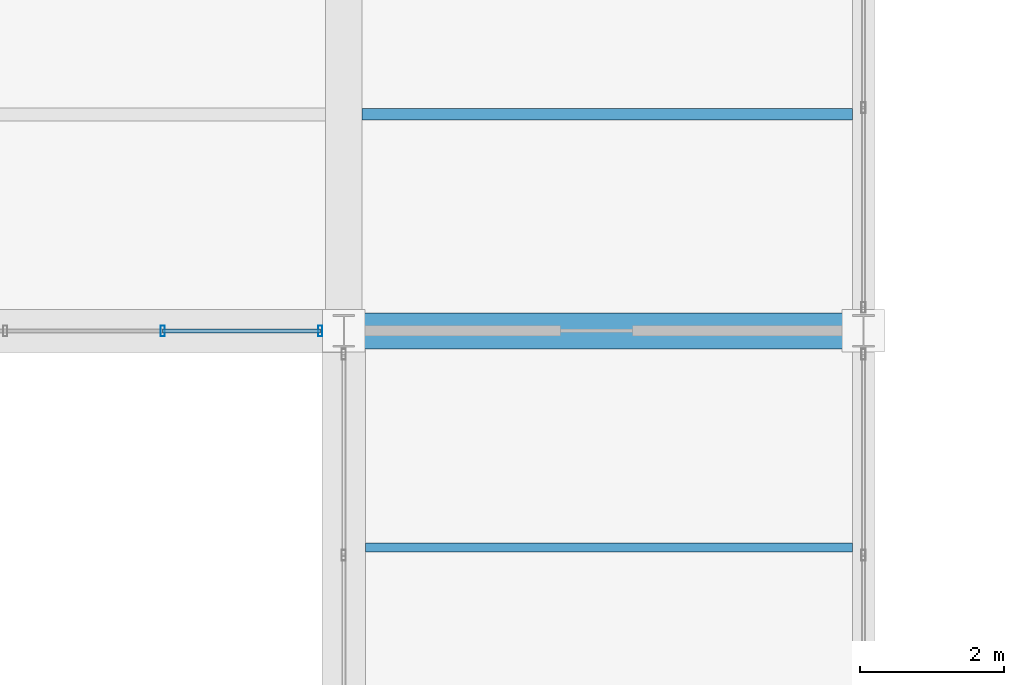
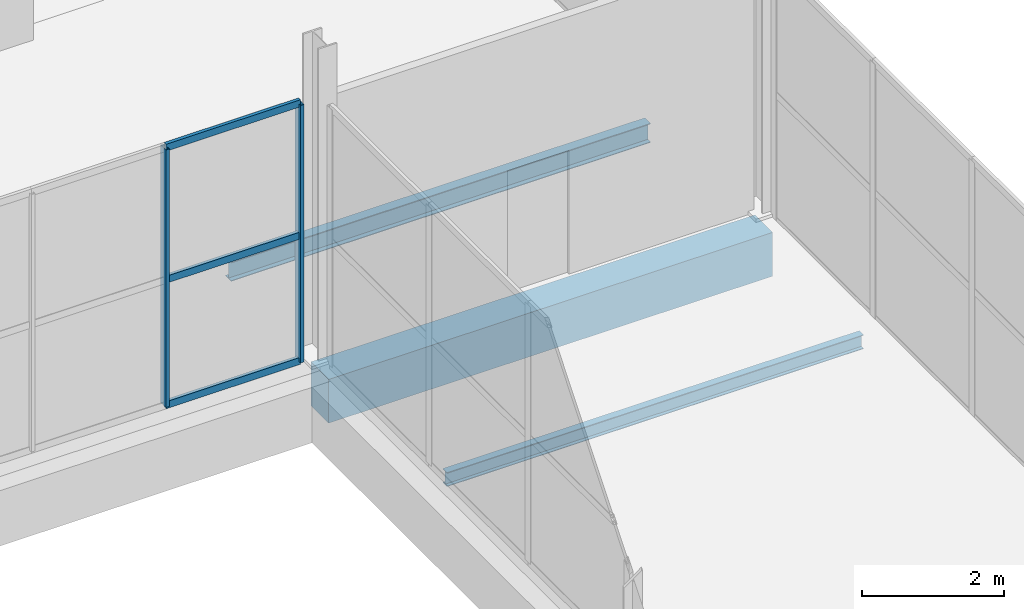
# One storey, part 94 of 147: 5 members, 3 beams, 1 element without a shape of its own.
"""IFC4 building model written with IfcOpenShell, lengths in metres."""

from ifc_helpers import new_model, si_unit, direction, frame, origin, origin_2d, place, context, subcontext, project, spatial, rectangle, hollow_rectangle, i_section, extrude, material, layer, layer_set, material_profile, profile_set, type_object, element, aggregate, save


model = new_model("IFC4")

# Units and contexts
model_context = context("Model", 3, precision=1e-05, world=origin(), true_north=direction((0.0, 1.0)))
body_context = subcontext(model_context, "Body", "Model", "MODEL_VIEW")
ifc_project = project(units=[si_unit("LENGTHUNIT", "METRE"), si_unit("AREAUNIT", "SQUARE_METRE"), si_unit("VOLUMEUNIT", "CUBIC_METRE"), si_unit("PLANEANGLEUNIT", "RADIAN"), si_unit("MASSUNIT", "GRAM", prefix="KILO")], contexts=[model_context])

# Site, building, storey
site_placement = place(None, origin())
site = spatial("IfcSite", under=ifc_project, at=site_placement, CompositionType="ELEMENT")
building_placement = place(site_placement, origin())
building = spatial("IfcBuilding", under=site, at=building_placement, Name="Sundgate Opera House", CompositionType="ELEMENT")
storey_placement = place(building_placement, frame((0.0, 0.0, 6.0)))
storey = spatial("IfcBuildingStorey", under=building, at=storey_placement, Name="L01", CompositionType="ELEMENT", Elevation=6.0)

# Beams
ifc_material_1 = material(Name="Steel S355J2", Category="steel")
ifc_material_profile_1 = material_profile(ifc_material_1, i_section(OverallWidth=0.1201171875, OverallDepth=0.239990234375, WebThickness=0.006103515625, FlangeThickness=0.009765625, at=origin_2d()), Name="IPE 240")
ifc_profile_set_1 = profile_set([ifc_material_profile_1], Name="Steel S355J2")
beam_type_1 = type_object("IfcBeamType", Name="BM-JS-IPE240", PredefinedType="JOIST", material=ifc_profile_set_1)
beam_1_placement = place(storey_placement, frame((138.89990234375, 57.0, -0.419921875), z_axis=(1.0, 0.0, 0.0), x_axis=(0.0, 1.0, 0.0)))
element("IfcBeam", 1, at=beam_1_placement, inside=storey, type_object=beam_type_1, Name="L01 Secondary Floor Joist B1581", PredefinedType="JOIST", context=body_context, shape_type="SweptSolid", body=[
    extrude(i_section(OverallWidth=0.1201171875, OverallDepth=0.239990234375, WebThickness=0.006103515625, FlangeThickness=0.009765625, at=origin_2d()), origin(), (0.0, 0.0, 1.0), 6.75),
])
ifc_material_2 = material(Name="Steel S355J2", Category="steel")
ifc_material_profile_2 = material_profile(ifc_material_2, i_section(OverallWidth=0.159912109375, OverallDepth=0.330078125, WebThickness=0.007568359375, FlangeThickness=0.011474609375, at=origin_2d()), Name="IPE 330")
ifc_profile_set_2 = profile_set([ifc_material_profile_2], Name="Steel S355J2")
beam_type_2 = type_object("IfcBeamType", Name="BM-JS-IPE330", PredefinedType="JOIST", material=ifc_profile_set_2)
beam_2_placement = place(storey_placement, frame((138.85009765625, 63.0, -0.465087890625), z_axis=(1.0, 0.0, 0.0), x_axis=(0.0, 1.0, 0.0)))
element("IfcBeam", 2, at=beam_2_placement, inside=storey, type_object=beam_type_2, Name="L01 Secondary Floor Joist B1606", PredefinedType="JOIST", context=body_context, shape_type="SweptSolid", body=[
    extrude(i_section(OverallWidth=0.159912109375, OverallDepth=0.330078125, WebThickness=0.007568359375, FlangeThickness=0.011474609375, at=origin_2d()), origin(), (0.0, 0.0, 1.0), 6.7998046875),
])
ifc_material_3 = material(Name="Concrete C40/50", Category="concrete")
ifc_material_profile_3 = material_profile(ifc_material_3, rectangle(XDim=0.5, YDim=0.75, at=origin_2d()), Name="RC 500x750")
ifc_profile_set_3 = profile_set([ifc_material_profile_3], Name="Concrete C40/50")
beam_type_3 = type_object("IfcBeamType", Name="BM-RC-500x750", PredefinedType="BEAM", material=ifc_profile_set_3)
beam_3_placement = place(storey_placement, frame((138.60009765625, 60.0, -0.675048828125), z_axis=(1.0, 0.0, 0.0), x_axis=(0.0, 1.0, 0.0)))
element("IfcBeam", 3, at=beam_3_placement, inside=storey, type_object=beam_type_3, Name="L01 Primary E-W Girder B1354", PredefinedType="BEAM", context=body_context, shape_type="SweptSolid", body=[
    extrude(rectangle(XDim=0.5, YDim=0.75, at=origin_2d()), origin(), (0.0, 0.0, 1.0), 7.199951171875),
])

# Curtain wall, members
ifc_material_4 = material(Name="Anodized aluminium and low-iron glass", Category="aluminium")
ifc_layer = layer(ifc_material_4, 0.159912109375)
ifc_layer_set = layer_set([ifc_layer], Name="Anodized aluminium and low-iron glass")
curtain_wall_type = type_object("IfcCurtainWallType", Name="CW-STUDIO-DARK", PredefinedType="NOTDEFINED", material=ifc_layer_set)
curtain_wall_placement = place(storey_placement, origin())
curtain_wall = element("IfcCurtainWall", 4, at=curtain_wall_placement, inside=storey, type_object=curtain_wall_type, Name="L01 Curtain Wall CW057", PredefinedType="NOTDEFINED")
ifc_material_5 = material(Name="Anodized aluminium EN AW-6063", Category="aluminium")
ifc_material_profile_4 = material_profile(ifc_material_5, hollow_rectangle(XDim=0.06005859375, YDim=0.14990234375, WallThickness=0.00390625, at=origin_2d()), Name="CWM 150x60x4")
ifc_profile_set_4 = profile_set([ifc_material_profile_4], Name="Anodized aluminium EN AW-6063")
member_type_1 = type_object("IfcMemberType", Name="CWM-ALU-150x60", PredefinedType="MULLION", material=ifc_profile_set_4)
member_1_placement = place(storey_placement, frame((138.27490234375, 60.0, 0.0), z_axis=(0.0, 0.0, 1.0), x_axis=(1.0, 0.0, 0.0)))
member_1 = element("IfcMember", 5, at=member_1_placement, type_object=member_type_1, Name="CW057 Mullion 1", PredefinedType="MULLION", context=body_context, shape_type="SweptSolid", body=[
    extrude(hollow_rectangle(XDim=0.06005859375, YDim=0.14990234375, WallThickness=0.00390625, at=origin_2d()), origin(), (0.0, 0.0, 1.0), 4.4150390625),
])
member_2_placement = place(storey_placement, frame((136.091552734375, 60.0, 0.0), z_axis=(0.0, 0.0, 1.0), x_axis=(1.0, 0.0, 0.0)))
member_2 = element("IfcMember", 6, at=member_2_placement, type_object=member_type_1, Name="CW057 Mullion 2", PredefinedType="MULLION", context=body_context, shape_type="SweptSolid", body=[
    extrude(hollow_rectangle(XDim=0.06005859375, YDim=0.14990234375, WallThickness=0.00390625, at=origin_2d()), origin(), (0.0, 0.0, 1.0), 4.4150390625),
])
ifc_material_6 = material(Name="Anodized aluminium EN AW-6063", Category="aluminium")
ifc_material_profile_5 = material_profile(ifc_material_6, hollow_rectangle(XDim=0.054931640625, YDim=0.1201171875, WallThickness=0.00390625, at=origin_2d()), Name="CWT 120x55x4")
ifc_profile_set_5 = profile_set([ifc_material_profile_5], Name="Anodized aluminium EN AW-6063")
member_type_2 = type_object("IfcMemberType", Name="CWT-ALU-120x55", PredefinedType="USERDEFINED", material=ifc_profile_set_5)
member_3_placement = place(storey_placement, frame((138.27490234375, 60.0, 0.0), z_axis=(-1.0, 0.0, 0.0), x_axis=(0.0, -1.0, 0.0)))
member_3 = element("IfcMember", 7, at=member_3_placement, type_object=member_type_2, Name="CW057 Transom 1", ObjectType="TRANSOM", PredefinedType="USERDEFINED", context=body_context, shape_type="SweptSolid", body=[
    extrude(hollow_rectangle(XDim=0.054931640625, YDim=0.1201171875, WallThickness=0.00390625, at=origin_2d()), origin(), (0.0, 0.0, 1.0), 2.183349609375),
])
member_4_placement = place(storey_placement, frame((138.27490234375, 60.0, 2.14990234375), z_axis=(-1.0, 0.0, 0.0), x_axis=(0.0, -1.0, 0.0)))
member_4 = element("IfcMember", 8, at=member_4_placement, type_object=member_type_2, Name="CW057 Transom 2", ObjectType="TRANSOM", PredefinedType="USERDEFINED", context=body_context, shape_type="SweptSolid", body=[
    extrude(hollow_rectangle(XDim=0.054931640625, YDim=0.1201171875, WallThickness=0.00390625, at=origin_2d()), origin(), (0.0, 0.0, 1.0), 2.183349609375),
])
member_5_placement = place(storey_placement, frame((138.27490234375, 60.0, 4.4150390625), z_axis=(-1.0, 0.0, 0.0), x_axis=(0.0, -1.0, 0.0)))
member_5 = element("IfcMember", 9, at=member_5_placement, type_object=member_type_2, Name="CW057 Transom 3", ObjectType="TRANSOM", PredefinedType="USERDEFINED", context=body_context, shape_type="SweptSolid", body=[
    extrude(hollow_rectangle(XDim=0.054931640625, YDim=0.1201171875, WallThickness=0.00390625, at=origin_2d()), origin(), (0.0, 0.0, 1.0), 2.183349609375),
])
aggregate(curtain_wall, [member_1, member_2, member_3, member_4, member_5])

save(model, "model.ifc")
